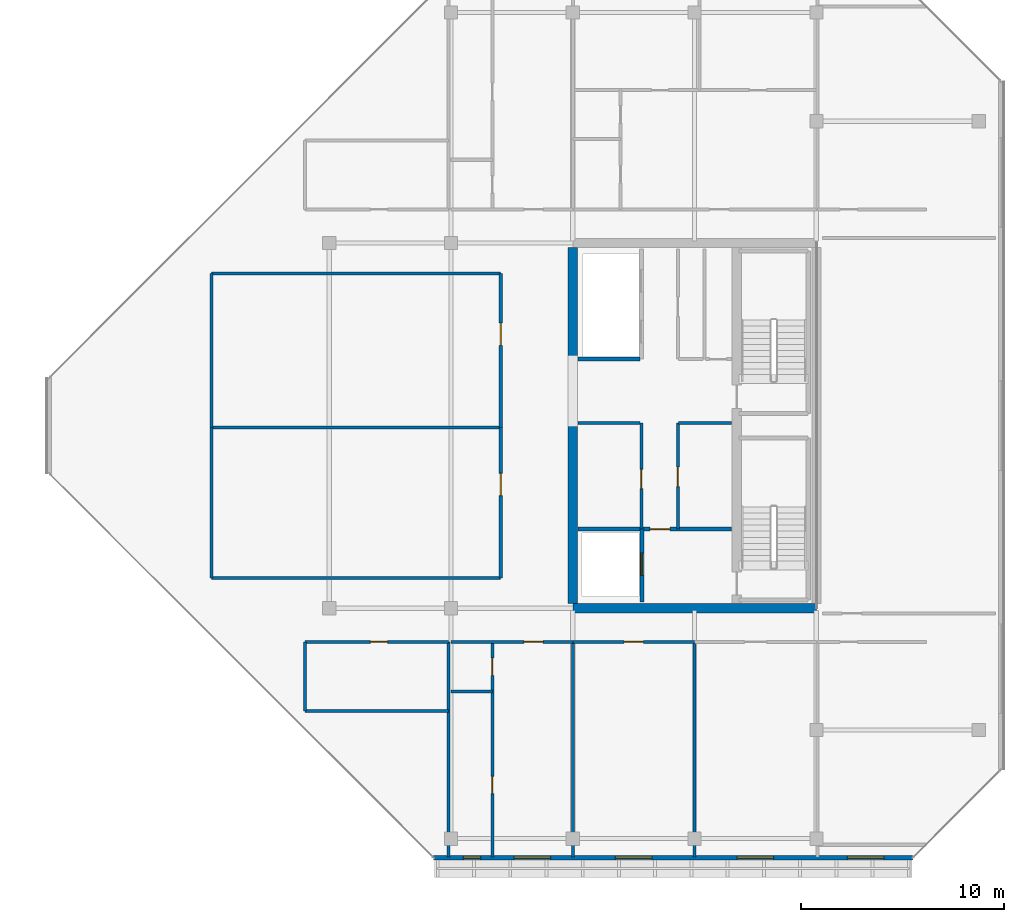
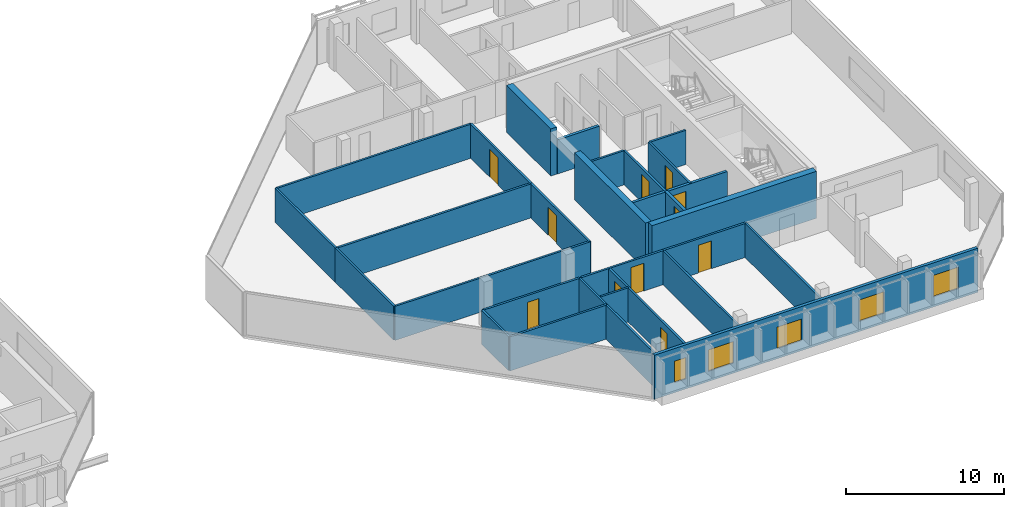
# One storey, part 22 of 28: 28 walls, 11 doors, 5 windows, 16 openings.
"""IFC4 building model written with IfcOpenShell, lengths in metres."""

from ifc_helpers import new_model, si_unit, direction, frame, frame_2d, origin, place, context, subcontext, project, spatial, rectangle, extrude, material, layer, layer_set, type_object, element, fill, save


model = new_model("IFC4")

# Units and contexts
model_context = context("Model", 3, precision=1e-05, world=origin(), true_north=direction((0.0, 1.0)))
body_context = subcontext(model_context, "Body", "Model", "MODEL_VIEW")
ifc_project = project(units=[si_unit("LENGTHUNIT", "METRE"), si_unit("AREAUNIT", "SQUARE_METRE"), si_unit("VOLUMEUNIT", "CUBIC_METRE"), si_unit("PLANEANGLEUNIT", "RADIAN"), si_unit("MASSUNIT", "GRAM", prefix="KILO")], contexts=[model_context])

# Site, building, storey
site_placement = place(None, origin())
site = spatial("IfcSite", under=ifc_project, at=site_placement, CompositionType="ELEMENT")
building_placement = place(site_placement, origin())
building = spatial("IfcBuilding", under=site, at=building_placement, Name="Tanjung Sevakor Pilgrim Tower", CompositionType="ELEMENT")
storey_placement = place(building_placement, frame((0.0, 0.0, 242.550048828125)))
storey = spatial("IfcBuildingStorey", under=building, at=storey_placement, Name="L68", CompositionType="ELEMENT", Elevation=242.550048828125)

# Walls
ifc_material_1 = material(Name="Concrete C60/75", Category="concrete")
ifc_layer_1 = layer(ifc_material_1, 0.449951171875)
ifc_layer_set_1 = layer_set([ifc_layer_1], Name="WALL-CW-450")
wall_type_1 = type_object("IfcWallType", Name="WALL-CW-450", PredefinedType="SHEAR", material=ifc_layer_set_1)
wall_1_placement = place(storey_placement, frame((78.0, 24.60009765625, 0.0), z_axis=(0.0, 0.0, 1.0), x_axis=(1.0, 0.0, 0.0)))
element("IfcWall", 1, at=wall_1_placement, inside=storey, type_object=wall_type_1, Name="L68 E Core South Shear Wall", PredefinedType="SHEAR", context=body_context, shape_type="SweptSolid", body=[
    extrude(rectangle(XDim=12.0, YDim=0.449951171875, at=frame_2d((6.0, 0.0))), origin(), (0.0, 0.0, 1.0), 3.6298828125),
])
wall_2_placement = place(storey_placement, frame((78.0, 24.824951171875, 0.0), z_axis=(0.0, 0.0, 1.0), x_axis=(0.0, 1.0, 0.0)))
element("IfcWall", 2, at=wall_2_placement, inside=storey, type_object=wall_type_1, Name="L68 E Core Inner Shear Wall South", PredefinedType="SHEAR", context=body_context, shape_type="SweptSolid", body=[
    extrude(rectangle(XDim=8.97509765625, YDim=0.449951171875, at=frame_2d((4.487548828125, 0.0))), origin(), (0.0, 0.0, 1.0), 3.6298828125),
])
wall_3_placement = place(storey_placement, frame((78.0, 36.800048828125, 0.0), z_axis=(0.0, 0.0, 1.0), x_axis=(0.0, 1.0, 0.0)))
element("IfcWall", 3, at=wall_3_placement, inside=storey, type_object=wall_type_1, Name="L68 E Core Inner Shear Wall North", PredefinedType="SHEAR", context=body_context, shape_type="SweptSolid", body=[
    extrude(rectangle(XDim=5.574951171875, YDim=0.449951171875, at=frame_2d((2.78759765625, 0.0))), origin(), (0.0, 0.0, 1.0), 3.6298828125),
])
ifc_material_2 = material(Name="Concrete C40/50", Category="concrete")
ifc_layer_2 = layer(ifc_material_2, 0.14990234375)
ifc_layer_set_2 = layer_set([ifc_layer_2], Name="WT-COMP-150")
wall_type_2 = type_object("IfcWallType", Name="WT-COMP-150", PredefinedType="SOLIDWALL", material=ifc_layer_set_2)
wall_4_placement = place(storey_placement, frame((83.199951171875, 33.719970703125, 0.0), z_axis=(0.0, 0.0, 1.0), x_axis=(1.0, 0.0, 0.0)))
element("IfcWall", 4, at=wall_4_placement, inside=storey, type_object=wall_type_2, Name="L68 Partition IW-L68-015", PredefinedType="SOLIDWALL", context=body_context, shape_type="SweptSolid", body=[
    extrude(rectangle(XDim=2.630126953125, YDim=0.14990234375, at=frame_2d((1.31494140625, 0.0))), origin(), (0.0, 0.0, 1.0), 2.6298828125),
])

# Wall, opening, door
wall_5_placement = place(storey_placement, frame((83.179931640625, 28.5, 0.0), z_axis=(0.0, 0.0, 1.0), x_axis=(0.0, 1.0, 0.0)))
wall_5 = element("IfcWall", 5, at=wall_5_placement, inside=storey, type_object=wall_type_2, Name="L68 Partition IW-L68-016", PredefinedType="SOLIDWALL", context=body_context, shape_type="SweptSolid", body=[
    extrude(rectangle(XDim=5.219970703125, YDim=0.14990234375, at=frame_2d((2.60986328125, 0.0))), origin(), (0.0, 0.0, 1.0), 2.6298828125),
])
opening_1_placement = place(wall_5_placement, frame((2.10009765625, 0.0, 0.0)))
opening_1 = element("IfcOpeningElement", 6, at=opening_1_placement, cuts=wall_5, Name="Opening ID-FD2", PredefinedType="OPENING", context=body_context, shape_type="SweptSolid", body=[
    extrude(rectangle(XDim=0.949951171875, YDim=2.14990234375, at=frame_2d((0.47509765625, 1.074951171875))), frame((0.0, 0.0849609375, 0.0), z_axis=(0.0, -1.0, 0.0), x_axis=(1.0, 0.0, 0.0)), (0.0, 0.0, 1.0), 0.169921875),
])
ifc_material_3 = material(Name="Fire-Rated Timber", Category="wood")
door_type_1 = type_object("IfcDoorType", Name="DT-FIRE-950", OperationType="NOTDEFINED", PredefinedType="DOOR", material=ifc_material_3)
door_1_placement = place(opening_1_placement, origin())
door_1 = element("IfcDoor", 7, at=door_1_placement, inside=storey, type_object=door_type_1, Name="L68 Housekeeping Pantry Door", OperationType="SINGLE_SWING_RIGHT", OverallHeight=2.14990234375, OverallWidth=0.949951171875, PredefinedType="DOOR", context=body_context, shape_type="SweptSolid", body=[
    extrude(rectangle(XDim=0.949951171875, YDim=2.14990234375, at=frame_2d((0.47509765625, 1.074951171875))), frame((0.0, 0.02490234375, 0.0), z_axis=(0.0, -1.0, 0.0), x_axis=(1.0, 0.0, 0.0)), (0.0, 0.0, 1.0), 0.050048828125),
])
fill(opening_1, door_1)

# Wall
wall_6_placement = place(storey_placement, frame((78.2451171875, 33.719970703125, 0.0), z_axis=(0.0, 0.0, 1.0), x_axis=(1.0, 0.0, 0.0)))
element("IfcWall", 8, at=wall_6_placement, inside=storey, type_object=wall_type_2, Name="L68 Partition IW-L68-017", PredefinedType="SOLIDWALL", context=body_context, shape_type="SweptSolid", body=[
    extrude(rectangle(XDim=3.074951171875, YDim=0.14990234375, at=frame_2d((1.53759765625, 0.0))), origin(), (0.0, 0.0, 1.0), 2.6298828125),
])

# Wall, opening, door
wall_7_placement = place(storey_placement, frame((81.3798828125, 28.5, 0.0), z_axis=(0.0, 0.0, 1.0), x_axis=(0.0, 1.0, 0.0)))
wall_7 = element("IfcWall", 9, at=wall_7_placement, inside=storey, type_object=wall_type_2, Name="L68 Partition IW-L68-018", PredefinedType="SOLIDWALL", context=body_context, shape_type="SweptSolid", body=[
    extrude(rectangle(XDim=5.219970703125, YDim=0.14990234375, at=frame_2d((2.60986328125, 0.0))), origin(), (0.0, 0.0, 1.0), 2.6298828125),
])
opening_2_placement = place(wall_7_placement, frame((2.0, 0.0, 0.0)))
opening_2 = element("IfcOpeningElement", 10, at=opening_2_placement, cuts=wall_7, Name="Opening ID-FD2", PredefinedType="OPENING", context=body_context, shape_type="SweptSolid", body=[
    extrude(rectangle(XDim=0.949951171875, YDim=2.14990234375, at=frame_2d((0.47509765625, 1.074951171875))), frame((0.0, 0.0849609375, 0.0), z_axis=(0.0, -1.0, 0.0), x_axis=(1.0, 0.0, 0.0)), (0.0, 0.0, 1.0), 0.169921875),
])
door_2_placement = place(opening_2_placement, origin())
door_2 = element("IfcDoor", 11, at=door_2_placement, inside=storey, type_object=door_type_1, Name="L68 Accessible WC Door", OperationType="SINGLE_SWING_LEFT", OverallHeight=2.14990234375, OverallWidth=0.949951171875, PredefinedType="DOOR", context=body_context, shape_type="SweptSolid", body=[
    extrude(rectangle(XDim=0.949951171875, YDim=2.14990234375, at=frame_2d((0.47509765625, 1.074951171875))), frame((0.0, 0.02490234375, 0.0), z_axis=(0.0, -1.0, 0.0), x_axis=(1.0, 0.0, 0.0)), (0.0, 0.0, 1.0), 0.050048828125),
])
fill(opening_2, door_2)

# Wall
wall_8_placement = place(storey_placement, frame((64.800048828125, 19.550048828125, 0.0), z_axis=(0.0, 0.0, 1.0), x_axis=(1.0, 0.0, 0.0)))
element("IfcWall", 12, at=wall_8_placement, inside=storey, type_object=wall_type_2, Name="L68 Partition IW-L68-033", PredefinedType="SOLIDWALL", context=body_context, shape_type="SweptSolid", body=[
    extrude(rectangle(XDim=7.079833984375, YDim=0.14990234375, at=frame_2d((3.5400390625, 0.0))), origin(), (0.0, 0.0, 1.0), 2.6298828125),
])

# Wall, opening, door
wall_9_placement = place(storey_placement, frame((64.800048828125, 22.949951171875, 0.0), z_axis=(0.0, 0.0, 1.0), x_axis=(1.0, 0.0, 0.0)))
wall_9 = element("IfcWall", 13, at=wall_9_placement, inside=storey, type_object=wall_type_2, Name="L68 Partition IW-L68-034", PredefinedType="SOLIDWALL", context=body_context, shape_type="SweptSolid", body=[
    extrude(rectangle(XDim=7.079833984375, YDim=0.14990234375, at=frame_2d((3.5400390625, 0.0))), origin(), (0.0, 0.0, 1.0), 2.6298828125),
])
opening_3_placement = place(wall_9_placement, frame((3.22509765625, 0.0, 0.0)))
opening_3 = element("IfcOpeningElement", 14, at=opening_3_placement, cuts=wall_9, Name="Opening ID-WC1", PredefinedType="OPENING", context=body_context, shape_type="SweptSolid", body=[
    extrude(rectangle(XDim=0.85009765625, YDim=2.10009765625, at=frame_2d((0.425048828125, 1.050048828125))), frame((0.0, 0.0849609375, 0.0), z_axis=(0.0, -1.0, 0.0), x_axis=(1.0, 0.0, 0.0)), (0.0, 0.0, 1.0), 0.169921875),
])
ifc_material_4 = material(Name="Moisture-Resistant Timber", Category="wood")
door_type_2 = type_object("IfcDoorType", Name="DT-INT-850", OperationType="NOTDEFINED", PredefinedType="DOOR", material=ifc_material_4)
door_3_placement = place(opening_3_placement, origin())
door_3 = element("IfcDoor", 15, at=door_3_placement, inside=storey, type_object=door_type_2, Name="L68 SW Crown Suite Door", OperationType="SINGLE_SWING_LEFT", OverallHeight=2.10009765625, OverallWidth=0.85009765625, PredefinedType="DOOR", context=body_context, shape_type="SweptSolid", body=[
    extrude(rectangle(XDim=0.85009765625, YDim=2.10009765625, at=frame_2d((0.425048828125, 1.050048828125))), frame((0.0, 0.02490234375, 0.0), z_axis=(0.0, -1.0, 0.0), x_axis=(1.0, 0.0, 0.0)), (0.0, 0.0, 1.0), 0.050048828125),
])
fill(opening_3, door_3)

# Walls
wall_10_placement = place(storey_placement, frame((64.800048828125, 19.550048828125, 0.0), z_axis=(0.0, 0.0, 1.0), x_axis=(0.0, 1.0, 0.0)))
element("IfcWall", 16, at=wall_10_placement, inside=storey, type_object=wall_type_2, Name="L68 Partition IW-L68-035", PredefinedType="SOLIDWALL", context=body_context, shape_type="SweptSolid", body=[
    extrude(rectangle(XDim=3.39990234375, YDim=0.14990234375, at=frame_2d((1.699951171875, 0.0))), origin(), (0.0, 0.0, 1.0), 2.6298828125),
])
for number, where, z_axis, x_axis, name in (
    (17, (71.8798828125, 12.340087890625, 0.0), (0.0, 0.0, 1.0), (0.0, 1.0, 0.0), "L68 Partition IW-L68-036"),
    (18, (78.0, 12.340087890625, 0.0), (0.0, 0.0, 1.0), (0.0, 1.0, 0.0), "L68 Partition IW-L68-049"),
):
    element("IfcWall", number, at=place(storey_placement, frame(where, z_axis=z_axis, x_axis=x_axis)), inside=storey, type_object=wall_type_2, Name=name, PredefinedType="SOLIDWALL", context=body_context, shape_type="SweptSolid", body=[
        extrude(rectangle(XDim=10.60986328125, YDim=0.14990234375, at=frame_2d((5.304931640625, 0.0))), origin(), (0.0, 0.0, 1.0), 2.6298828125),
    ])

# Wall, opening, door
wall_11_placement = place(storey_placement, frame((72.0, 22.949951171875, 0.0), z_axis=(0.0, 0.0, 1.0), x_axis=(1.0, 0.0, 0.0)))
wall_11 = element("IfcWall", 19, at=wall_11_placement, inside=storey, type_object=wall_type_2, Name="L68 Partition IW-L68-052", PredefinedType="SOLIDWALL", context=body_context, shape_type="SweptSolid", body=[
    extrude(rectangle(XDim=6.0, YDim=0.14990234375, at=frame_2d((3.0, 0.0))), origin(), (0.0, 0.0, 1.0), 2.6298828125),
])
opening_4_placement = place(wall_11_placement, frame((3.5849609375, 0.0, 0.0)))
opening_4 = element("IfcOpeningElement", 20, at=opening_4_placement, cuts=wall_11, Name="Opening ID-FD2", PredefinedType="OPENING", context=body_context, shape_type="SweptSolid", body=[
    extrude(rectangle(XDim=0.949951171875, YDim=2.14990234375, at=frame_2d((0.47509765625, 1.074951171875))), frame((0.0, 0.0849609375, 0.0), z_axis=(0.0, -1.0, 0.0), x_axis=(1.0, 0.0, 0.0)), (0.0, 0.0, 1.0), 0.169921875),
])
door_4_placement = place(opening_4_placement, origin())
door_4 = element("IfcDoor", 21, at=door_4_placement, inside=storey, type_object=door_type_1, Name="Hotel Guestroom Entrance", OperationType="SINGLE_SWING_RIGHT", OverallHeight=2.14990234375, OverallWidth=0.949951171875, PredefinedType="DOOR", context=body_context, shape_type="SweptSolid", body=[
    extrude(rectangle(XDim=0.949951171875, YDim=2.14990234375, at=frame_2d((0.47509765625, 1.074951171875))), frame((0.0, 0.02490234375, 0.0), z_axis=(0.0, -1.0, 0.0), x_axis=(1.0, 0.0, 0.0)), (0.0, 0.0, 1.0), 0.050048828125),
])
fill(opening_4, door_4)

# Wall
wall_12_placement = place(storey_placement, frame((84.0, 12.340087890625, 0.0), z_axis=(0.0, 0.0, 1.0), x_axis=(0.0, 1.0, 0.0)))
element("IfcWall", 22, at=wall_12_placement, inside=storey, type_object=wall_type_2, Name="L68 Partition IW-L68-053", PredefinedType="SOLIDWALL", context=body_context, shape_type="SweptSolid", body=[
    extrude(rectangle(XDim=10.60986328125, YDim=0.14990234375, at=frame_2d((5.304931640625, 0.0))), origin(), (0.0, 0.0, 1.0), 2.6298828125),
])

# Wall, opening, door
wall_13_placement = place(storey_placement, frame((78.0, 22.949951171875, 0.0), z_axis=(0.0, 0.0, 1.0), x_axis=(1.0, 0.0, 0.0)))
wall_13 = element("IfcWall", 23, at=wall_13_placement, inside=storey, type_object=wall_type_2, Name="L68 Partition IW-L68-054", PredefinedType="SOLIDWALL", context=body_context, shape_type="SweptSolid", body=[
    extrude(rectangle(XDim=6.0, YDim=0.14990234375, at=frame_2d((3.0, 0.0))), origin(), (0.0, 0.0, 1.0), 2.6298828125),
])
opening_5_placement = place(wall_13_placement, frame((2.52490234375, 0.0, 0.0)))
opening_5 = element("IfcOpeningElement", 24, at=opening_5_placement, cuts=wall_13, Name="Opening ID-FD2", PredefinedType="OPENING", context=body_context, shape_type="SweptSolid", body=[
    extrude(rectangle(XDim=0.949951171875, YDim=2.14990234375, at=frame_2d((0.47509765625, 1.074951171875))), frame((0.0, 0.0849609375, 0.0), z_axis=(0.0, -1.0, 0.0), x_axis=(1.0, 0.0, 0.0)), (0.0, 0.0, 1.0), 0.169921875),
])
door_5_placement = place(opening_5_placement, origin())
door_5 = element("IfcDoor", 25, at=door_5_placement, inside=storey, type_object=door_type_1, Name="Housekeeping Pantry Door", OperationType="SINGLE_SWING_LEFT", OverallHeight=2.14990234375, OverallWidth=0.949951171875, PredefinedType="DOOR", context=body_context, shape_type="SweptSolid", body=[
    extrude(rectangle(XDim=0.949951171875, YDim=2.14990234375, at=frame_2d((0.47509765625, 1.074951171875))), frame((0.0, 0.02490234375, 0.0), z_axis=(0.0, -1.0, 0.0), x_axis=(1.0, 0.0, 0.0)), (0.0, 0.0, 1.0), 0.050048828125),
])
fill(opening_5, door_5)

# Walls
for number, where, z_axis, x_axis, name in (
    (26, (60.199951171875, 26.10009765625, 0.0), (0.0, 0.0, 1.0), (1.0, 0.0, 0.0), "L68 Partition IW-L68-065"),
    (27, (60.199951171875, 33.5, 0.0), (0.0, 0.0, 1.0), (1.0, 0.0, 0.0), "L68 Partition IW-L68-066"),
):
    element("IfcWall", number, at=place(storey_placement, frame(where, z_axis=z_axis, x_axis=x_axis)), inside=storey, type_object=wall_type_2, Name=name, PredefinedType="SOLIDWALL", context=body_context, shape_type="SweptSolid", body=[
        extrude(rectangle(XDim=14.25, YDim=0.14990234375, at=frame_2d((7.125, 0.0))), origin(), (0.0, 0.0, 1.0), 2.6298828125),
    ])
wall_14_placement = place(storey_placement, frame((60.199951171875, 26.10009765625, 0.0), z_axis=(0.0, 0.0, 1.0), x_axis=(0.0, 1.0, 0.0)))
element("IfcWall", 28, at=wall_14_placement, inside=storey, type_object=wall_type_2, Name="L68 Partition IW-L68-067", PredefinedType="SOLIDWALL", context=body_context, shape_type="SweptSolid", body=[
    extrude(rectangle(XDim=7.39990234375, YDim=0.14990234375, at=frame_2d((3.699951171875, 0.0))), origin(), (0.0, 0.0, 1.0), 2.6298828125),
])

# Wall, opening, door
wall_15_placement = place(storey_placement, frame((74.449951171875, 26.10009765625, 0.0), z_axis=(0.0, 0.0, 1.0), x_axis=(0.0, 1.0, 0.0)))
wall_15 = element("IfcWall", 29, at=wall_15_placement, inside=storey, type_object=wall_type_2, Name="L68 Partition IW-L68-068", PredefinedType="SOLIDWALL", context=body_context, shape_type="SweptSolid", body=[
    extrude(rectangle(XDim=7.39990234375, YDim=0.14990234375, at=frame_2d((3.699951171875, 0.0))), origin(), (0.0, 0.0, 1.0), 2.6298828125),
])
opening_6_placement = place(wall_15_placement, frame((4.050048828125, 0.0, 0.0)))
opening_6 = element("IfcOpeningElement", 30, at=opening_6_placement, cuts=wall_15, Name="Opening ID-RM2", PredefinedType="OPENING", context=body_context, shape_type="SweptSolid", body=[
    extrude(rectangle(XDim=1.10009765625, YDim=2.14990234375, at=frame_2d((0.550048828125, 1.074951171875))), frame((0.0, 0.0849609375, 0.0), z_axis=(0.0, -1.0, 0.0), x_axis=(1.0, 0.0, 0.0)), (0.0, 0.0, 1.0), 0.169921875),
])
ifc_material_5 = material(Name="Hardwood Timber", Category="wood")
door_type_3 = type_object("IfcDoorType", Name="DT-INT-1100", OperationType="NOTDEFINED", PredefinedType="DOOR", material=ifc_material_5)
door_6_placement = place(opening_6_placement, origin())
door_6 = element("IfcDoor", 31, at=door_6_placement, inside=storey, type_object=door_type_3, Name="L68 Crown Chapel Door", OperationType="SINGLE_SWING_LEFT", OverallHeight=2.14990234375, OverallWidth=1.10009765625, PredefinedType="DOOR", context=body_context, shape_type="SweptSolid", body=[
    extrude(rectangle(XDim=1.10009765625, YDim=2.14990234375, at=frame_2d((0.550048828125, 1.074951171875))), frame((0.0, 0.02490234375, 0.0), z_axis=(0.0, -1.0, 0.0), x_axis=(1.0, 0.0, 0.0)), (0.0, 0.0, 1.0), 0.050048828125),
])
fill(opening_6, door_6)

# Walls
wall_16_placement = place(storey_placement, frame((60.199951171875, 41.10009765625, 0.0), z_axis=(0.0, 0.0, 1.0), x_axis=(1.0, 0.0, 0.0)))
element("IfcWall", 32, at=wall_16_placement, inside=storey, type_object=wall_type_2, Name="L68 Partition IW-L68-069", PredefinedType="SOLIDWALL", context=body_context, shape_type="SweptSolid", body=[
    extrude(rectangle(XDim=14.25, YDim=0.14990234375, at=frame_2d((7.125, 0.0))), origin(), (0.0, 0.0, 1.0), 2.6298828125),
])
wall_17_placement = place(storey_placement, frame((60.199951171875, 33.5, 0.0), z_axis=(0.0, 0.0, 1.0), x_axis=(0.0, 1.0, 0.0)))
element("IfcWall", 33, at=wall_17_placement, inside=storey, type_object=wall_type_2, Name="L68 Partition IW-L68-070", PredefinedType="SOLIDWALL", context=body_context, shape_type="SweptSolid", body=[
    extrude(rectangle(XDim=7.60009765625, YDim=0.14990234375, at=frame_2d((3.800048828125, 0.0))), origin(), (0.0, 0.0, 1.0), 2.6298828125),
])

# Wall, opening, door
wall_18_placement = place(storey_placement, frame((74.449951171875, 33.5, 0.0), z_axis=(0.0, 0.0, 1.0), x_axis=(0.0, 1.0, 0.0)))
wall_18 = element("IfcWall", 34, at=wall_18_placement, inside=storey, type_object=wall_type_2, Name="L68 Partition IW-L68-071", PredefinedType="SOLIDWALL", context=body_context, shape_type="SweptSolid", body=[
    extrude(rectangle(XDim=7.60009765625, YDim=0.14990234375, at=frame_2d((3.800048828125, 0.0))), origin(), (0.0, 0.0, 1.0), 2.6298828125),
])
opening_7_placement = place(wall_18_placement, frame((4.050048828125, 0.0, 0.0)))
opening_7 = element("IfcOpeningElement", 35, at=opening_7_placement, cuts=wall_18, Name="Opening ID-RM2", PredefinedType="OPENING", context=body_context, shape_type="SweptSolid", body=[
    extrude(rectangle(XDim=1.10009765625, YDim=2.14990234375, at=frame_2d((0.550048828125, 1.074951171875))), frame((0.0, 0.0849609375, 0.0), z_axis=(0.0, -1.0, 0.0), x_axis=(1.0, 0.0, 0.0)), (0.0, 0.0, 1.0), 0.169921875),
])
door_7_placement = place(opening_7_placement, origin())
door_7 = element("IfcDoor", 36, at=door_7_placement, inside=storey, type_object=door_type_3, Name="L68 Crown Lounge Door", OperationType="SINGLE_SWING_RIGHT", OverallHeight=2.14990234375, OverallWidth=1.10009765625, PredefinedType="DOOR", context=body_context, shape_type="SweptSolid", body=[
    extrude(rectangle(XDim=1.10009765625, YDim=2.14990234375, at=frame_2d((0.550048828125, 1.074951171875))), frame((0.0, 0.02490234375, 0.0), z_axis=(0.0, -1.0, 0.0), x_axis=(1.0, 0.0, 0.0)), (0.0, 0.0, 1.0), 0.050048828125),
])
fill(opening_7, door_7)

# Wall, openings, windows
ifc_material_6 = material(Name="Precast concrete C45/55", Category="concrete")
ifc_layer_3 = layer(ifc_material_6, 0.219970703125)
ifc_layer_set_3 = layer_set([ifc_layer_3], Name="WT-EW-STN4")
wall_type_3 = type_object("IfcWallType", Name="WT-EW-STN4", PredefinedType="SOLIDWALL", material=ifc_layer_set_3)
wall_19_placement = place(storey_placement, frame((71.1455078125, 12.31005859375, 0.0), z_axis=(0.0, 0.0, 1.0), x_axis=(1.0, 0.0, 0.0)))
wall_19 = element("IfcWall", 37, at=wall_19_placement, inside=storey, type_object=wall_type_3, Name="L68 EAST Exterior Wall 1", PredefinedType="SOLIDWALL", context=body_context, shape_type="SweptSolid", body=[
    extrude(rectangle(XDim=23.60888671875, YDim=0.219970703125, at=frame_2d((11.804443359375, 0.0))), origin(), (0.0, 0.0, 1.0), 3.409912109375),
])
opening_8_placement = place(wall_19_placement, frame((20.381591796875, 0.0, 0.780029296875)))
opening_8 = element("IfcOpeningElement", 38, at=opening_8_placement, cuts=wall_19, Name="Opening WN-Z3-1660", PredefinedType="OPENING", context=body_context, shape_type="SweptSolid", body=[
    extrude(rectangle(XDim=1.800048828125, YDim=1.659912109375, at=frame_2d((0.89990234375, 0.830078125))), frame((0.0, 0.119873046875, 0.0), z_axis=(0.0, -1.0, 0.0), x_axis=(1.0, 0.0, 0.0)), (0.0, 0.0, 1.0), 0.239990234375),
])
opening_9_placement = place(wall_19_placement, frame((1.45947265625, 0.0, 0.780029296875)))
opening_9 = element("IfcOpeningElement", 39, at=opening_9_placement, cuts=wall_19, Name="Opening WN-SLM", PredefinedType="OPENING", context=body_context, shape_type="SweptSolid", body=[
    extrude(rectangle(XDim=0.85009765625, YDim=1.64990234375, at=frame_2d((0.425048828125, 0.824951171875))), frame((0.0, 0.119873046875, 0.0), z_axis=(0.0, -1.0, 0.0), x_axis=(1.0, 0.0, 0.0)), (0.0, 0.0, 1.0), 0.239990234375),
])
opening_10_placement = place(wall_19_placement, frame((3.96435546875, 0.0, 0.780029296875)))
opening_10 = element("IfcOpeningElement", 40, at=opening_10_placement, cuts=wall_19, Name="Opening WN-Z3-1660", PredefinedType="OPENING", context=body_context, shape_type="SweptSolid", body=[
    extrude(rectangle(XDim=1.800048828125, YDim=1.659912109375, at=frame_2d((0.89990234375, 0.830078125))), frame((0.0, 0.119873046875, 0.0), z_axis=(0.0, -1.0, 0.0), x_axis=(1.0, 0.0, 0.0)), (0.0, 0.0, 1.0), 0.239990234375),
])
opening_11_placement = place(wall_19_placement, frame((8.954345703125, 0.0, 0.780029296875)))
opening_11 = element("IfcOpeningElement", 41, at=opening_11_placement, cuts=wall_19, Name="Opening WN-Z3-1660", PredefinedType="OPENING", context=body_context, shape_type="SweptSolid", body=[
    extrude(rectangle(XDim=1.800048828125, YDim=1.659912109375, at=frame_2d((0.89990234375, 0.830078125))), frame((0.0, 0.119873046875, 0.0), z_axis=(0.0, -1.0, 0.0), x_axis=(1.0, 0.0, 0.0)), (0.0, 0.0, 1.0), 0.239990234375),
])
opening_12_placement = place(wall_19_placement, frame((14.954345703125, 0.0, 0.780029296875)))
opening_12 = element("IfcOpeningElement", 42, at=opening_12_placement, cuts=wall_19, Name="Opening WN-Z3-1660", PredefinedType="OPENING", context=body_context, shape_type="SweptSolid", body=[
    extrude(rectangle(XDim=1.800048828125, YDim=1.659912109375, at=frame_2d((0.89990234375, 0.830078125))), frame((0.0, 0.119873046875, 0.0), z_axis=(0.0, -1.0, 0.0), x_axis=(1.0, 0.0, 0.0)), (0.0, 0.0, 1.0), 0.239990234375),
])
ifc_material_7 = material(Name="Thermally Broken Aluminium and Low-E Glass", Category="aluminium")
window_type_1 = type_object("IfcWindowType", Name="WTYP-WN-SLM", PartitioningType="SINGLE_PANEL", PredefinedType="WINDOW", material=ifc_material_7)
window_1_placement = place(opening_9_placement, origin())
window_1 = element("IfcWindow", 43, at=window_1_placement, inside=storey, type_object=window_type_1, Name="L68 Facade Window 02", OverallHeight=1.64990234375, OverallWidth=0.85009765625, PartitioningType="SINGLE_PANEL", PredefinedType="WINDOW", context=body_context, shape_type="SweptSolid", body=[
    extrude(rectangle(XDim=0.85009765625, YDim=1.64990234375, at=frame_2d((0.425048828125, 0.824951171875))), frame((0.0, 0.030029296875, 0.0), z_axis=(0.0, -1.0, 0.0), x_axis=(1.0, 0.0, 0.0)), (0.0, 0.0, 1.0), 0.06005859375),
])
fill(opening_9, window_1)
ifc_material_8 = material(Name="Thermally Broken Aluminium and Low-E Glass", Category="aluminium")
window_type_2 = type_object("IfcWindowType", Name="WTYP-WN-Z3-1660", PartitioningType="DOUBLE_PANEL_VERTICAL", PredefinedType="WINDOW", material=ifc_material_8)
window_2_placement = place(opening_8_placement, origin())
window_2 = element("IfcWindow", 44, at=window_2_placement, inside=storey, type_object=window_type_2, Name="L68 Facade Window 01", OverallHeight=1.659912109375, OverallWidth=1.800048828125, PartitioningType="SINGLE_PANEL", PredefinedType="WINDOW", context=body_context, shape_type="SweptSolid", body=[
    extrude(rectangle(XDim=1.800048828125, YDim=1.659912109375, at=frame_2d((0.89990234375, 0.830078125))), frame((0.0, 0.030029296875, 0.0), z_axis=(0.0, -1.0, 0.0), x_axis=(1.0, 0.0, 0.0)), (0.0, 0.0, 1.0), 0.06005859375),
])
fill(opening_8, window_2)
window_3_placement = place(opening_10_placement, origin())
window_3 = element("IfcWindow", 45, at=window_3_placement, inside=storey, type_object=window_type_2, Name="L68 Facade Window 03", OverallHeight=1.659912109375, OverallWidth=1.800048828125, PartitioningType="SINGLE_PANEL", PredefinedType="WINDOW", context=body_context, shape_type="SweptSolid", body=[
    extrude(rectangle(XDim=1.800048828125, YDim=1.659912109375, at=frame_2d((0.89990234375, 0.830078125))), frame((0.0, 0.030029296875, 0.0), z_axis=(0.0, -1.0, 0.0), x_axis=(1.0, 0.0, 0.0)), (0.0, 0.0, 1.0), 0.06005859375),
])
fill(opening_10, window_3)
window_4_placement = place(opening_11_placement, origin())
window_4 = element("IfcWindow", 46, at=window_4_placement, inside=storey, type_object=window_type_2, Name="L68 Facade Window 04", OverallHeight=1.659912109375, OverallWidth=1.800048828125, PartitioningType="SINGLE_PANEL", PredefinedType="WINDOW", context=body_context, shape_type="SweptSolid", body=[
    extrude(rectangle(XDim=1.800048828125, YDim=1.659912109375, at=frame_2d((0.89990234375, 0.830078125))), frame((0.0, 0.030029296875, 0.0), z_axis=(0.0, -1.0, 0.0), x_axis=(1.0, 0.0, 0.0)), (0.0, 0.0, 1.0), 0.06005859375),
])
fill(opening_11, window_4)
window_5_placement = place(opening_12_placement, origin())
window_5 = element("IfcWindow", 47, at=window_5_placement, inside=storey, type_object=window_type_2, Name="L68 Facade Window 05", OverallHeight=1.659912109375, OverallWidth=1.800048828125, PartitioningType="SINGLE_PANEL", PredefinedType="WINDOW", context=body_context, shape_type="SweptSolid", body=[
    extrude(rectangle(XDim=1.800048828125, YDim=1.659912109375, at=frame_2d((0.89990234375, 0.830078125))), frame((0.0, 0.030029296875, 0.0), z_axis=(0.0, -1.0, 0.0), x_axis=(1.0, 0.0, 0.0)), (0.0, 0.0, 1.0), 0.06005859375),
])
fill(opening_12, window_5)

# Wall, opening, door
ifc_material_9 = material(Name="Concrete C40/50", Category="concrete")
ifc_layer_4 = layer(ifc_material_9, 0.199951171875)
ifc_layer_set_4 = layer_set([ifc_layer_4], Name="WT-FPRT-200")
wall_type_4 = type_object("IfcWallType", Name="WT-FPRT-200", PredefinedType="SOLIDWALL", material=ifc_layer_set_4)
wall_20_placement = place(storey_placement, frame((81.39990234375, 24.919921875, 0.0), z_axis=(0.0, 0.0, 1.0), x_axis=(0.0, 1.0, 0.0)))
wall_20 = element("IfcWall", 48, at=wall_20_placement, inside=storey, type_object=wall_type_4, Name="L68 Partition IW-L68-013", PredefinedType="SOLIDWALL", context=body_context, shape_type="SweptSolid", body=[
    extrude(rectangle(XDim=3.580078125, YDim=0.199951171875, at=frame_2d((1.7900390625, 0.0))), origin(), (0.0, 0.0, 1.0), 2.6298828125),
])
opening_13_placement = place(wall_20_placement, frame((1.300048828125, 0.0, 0.0)))
opening_13 = element("IfcOpeningElement", 49, at=opening_13_placement, cuts=wall_20, Name="Opening LD-1100", PredefinedType="OPENING", context=body_context, shape_type="SweptSolid", body=[
    extrude(rectangle(XDim=1.10009765625, YDim=2.199951171875, at=frame_2d((0.550048828125, 1.10009765625))), frame((0.0, 0.10986328125, 0.0), z_axis=(0.0, -1.0, 0.0), x_axis=(1.0, 0.0, 0.0)), (0.0, 0.0, 1.0), 0.219970703125),
])
ifc_material_10 = material(Name="Brushed Stainless Steel S355J2", Category="steel")
door_type_4 = type_object("IfcDoorType", Name="DT-LIFT-1100", OperationType="SLIDING_TO_LEFT", PredefinedType="DOOR", material=ifc_material_10)
door_8_placement = place(opening_13_placement, origin())
door_8 = element("IfcDoor", 50, at=door_8_placement, inside=storey, type_object=door_type_4, Name="LD-FL-E", OperationType="SLIDING_TO_LEFT", OverallHeight=2.199951171875, OverallWidth=1.10009765625, PredefinedType="DOOR", context=body_context, shape_type="SweptSolid", body=[
    extrude(rectangle(XDim=1.10009765625, YDim=2.199951171875, at=frame_2d((0.550048828125, 1.10009765625))), frame((0.0, 0.02490234375, 0.0), z_axis=(0.0, -1.0, 0.0), x_axis=(1.0, 0.0, 0.0)), (0.0, 0.0, 1.0), 0.050048828125),
])
fill(opening_13, door_8)

wall_21_placement = place(storey_placement, frame((78.2451171875, 28.5, 0.0), z_axis=(0.0, 0.0, 1.0), x_axis=(1.0, 0.0, 0.0)))
wall_21 = element("IfcWall", 51, at=wall_21_placement, inside=storey, type_object=wall_type_4, Name="L68 Partition IW-L68-014", PredefinedType="SOLIDWALL", context=body_context, shape_type="SweptSolid", body=[
    extrude(rectangle(XDim=7.5849609375, YDim=0.199951171875, at=frame_2d((3.79248046875, 0.0))), origin(), (0.0, 0.0, 1.0), 2.6298828125),
])
opening_14_placement = place(wall_21_placement, frame((3.554931640625, 0.0, 0.0)))
opening_14 = element("IfcOpeningElement", 52, at=opening_14_placement, cuts=wall_21, Name="Opening ID-FD1", PredefinedType="OPENING", context=body_context, shape_type="SweptSolid", body=[
    extrude(rectangle(XDim=1.0, YDim=2.14990234375, at=frame_2d((0.5, 1.074951171875))), frame((0.0, 0.10986328125, 0.0), z_axis=(0.0, -1.0, 0.0), x_axis=(1.0, 0.0, 0.0)), (0.0, 0.0, 1.0), 0.219970703125),
])
ifc_material_11 = material(Name="Fire-Rated Steel S355J2", Category="steel")
door_type_5 = type_object("IfcDoorType", Name="DT-FIRE-1000", OperationType="NOTDEFINED", PredefinedType="DOOR", material=ifc_material_11)
door_9_placement = place(opening_14_placement, origin())
door_9 = element("IfcDoor", 53, at=door_9_placement, inside=storey, type_object=door_type_5, Name="Fire Lobby Door E", OperationType="SINGLE_SWING_LEFT", OverallHeight=2.14990234375, OverallWidth=1.0, PredefinedType="DOOR", context=body_context, shape_type="SweptSolid", body=[
    extrude(rectangle(XDim=1.0, YDim=2.14990234375, at=frame_2d((0.5, 1.074951171875))), frame((0.0, 0.02490234375, 0.0), z_axis=(0.0, -1.0, 0.0), x_axis=(1.0, 0.0, 0.0)), (0.0, 0.0, 1.0), 0.050048828125),
])
fill(opening_14, door_9)

# Walls
wall_22_placement = place(storey_placement, frame((78.2451171875, 36.8798828125, 0.0), z_axis=(0.0, 0.0, 1.0), x_axis=(1.0, 0.0, 0.0)))
element("IfcWall", 54, at=wall_22_placement, inside=storey, type_object=wall_type_4, Name="L68 Partition IW-L68-023", PredefinedType="SOLIDWALL", context=body_context, shape_type="SweptSolid", body=[
    extrude(rectangle(XDim=3.074951171875, YDim=0.199951171875, at=frame_2d((1.53759765625, 0.0))), origin(), (0.0, 0.0, 1.0), 2.6298828125),
])
ifc_material_12 = material(Name="Gypsum Board Partition", Category="gypsum board")
ifc_layer_5 = layer(ifc_material_12, 0.14990234375)
ifc_layer_set_5 = layer_set([ifc_layer_5], Name="WT-PART-150")
wall_type_5 = type_object("IfcWallType", Name="WT-PART-150", PredefinedType="PARTITIONING", material=ifc_layer_set_5)
wall_23_placement = place(storey_placement, frame((72.0, 20.5, 0.0), z_axis=(0.0, 0.0, 1.0), x_axis=(1.0, 0.0, 0.0)))
element("IfcWall", 55, at=wall_23_placement, inside=storey, type_object=wall_type_5, Name="L68 Partition IW-L68-050", PredefinedType="PARTITIONING", context=body_context, shape_type="SweptSolid", body=[
    extrude(rectangle(XDim=2.0400390625, YDim=0.14990234375, at=frame_2d((1.02001953125, 0.0))), origin(), (0.0, 0.0, 1.0), 2.6298828125),
])

# Wall, openings, doors
wall_24_placement = place(storey_placement, frame((74.0400390625, 12.340087890625, 0.0), z_axis=(0.0, 0.0, 1.0), x_axis=(0.0, 1.0, 0.0)))
wall_24 = element("IfcWall", 56, at=wall_24_placement, inside=storey, type_object=wall_type_5, Name="L68 Partition IW-L68-051", PredefinedType="PARTITIONING", context=body_context, shape_type="SweptSolid", body=[
    extrude(rectangle(XDim=10.60986328125, YDim=0.14990234375, at=frame_2d((5.304931640625, 0.0))), origin(), (0.0, 0.0, 1.0), 2.6298828125),
])
opening_15_placement = place(wall_24_placement, frame((3.1240234375, 0.0, 0.0)))
opening_15 = element("IfcOpeningElement", 57, at=opening_15_placement, cuts=wall_24, Name="Opening ID-WC1", PredefinedType="OPENING", context=body_context, shape_type="SweptSolid", body=[
    extrude(rectangle(XDim=0.85009765625, YDim=2.10009765625, at=frame_2d((0.425048828125, 1.050048828125))), frame((0.0, 0.0849609375, 0.0), z_axis=(0.0, -1.0, 0.0), x_axis=(1.0, 0.0, 0.0)), (0.0, 0.0, 1.0), 0.169921875),
])
opening_16_placement = place(wall_24_placement, frame((8.9599609375, 0.0, 0.0)))
opening_16 = element("IfcOpeningElement", 58, at=opening_16_placement, cuts=wall_24, Name="Opening ID-WC1", PredefinedType="OPENING", context=body_context, shape_type="SweptSolid", body=[
    extrude(rectangle(XDim=0.85009765625, YDim=2.10009765625, at=frame_2d((0.425048828125, 1.050048828125))), frame((0.0, 0.0849609375, 0.0), z_axis=(0.0, -1.0, 0.0), x_axis=(1.0, 0.0, 0.0)), (0.0, 0.0, 1.0), 0.169921875),
])
door_10_placement = place(opening_15_placement, origin())
door_10 = element("IfcDoor", 59, at=door_10_placement, inside=storey, type_object=door_type_2, Name="Study Nook Door", OperationType="SINGLE_SWING_RIGHT", OverallHeight=2.10009765625, OverallWidth=0.85009765625, PredefinedType="DOOR", context=body_context, shape_type="SweptSolid", body=[
    extrude(rectangle(XDim=0.85009765625, YDim=2.10009765625, at=frame_2d((0.425048828125, 1.050048828125))), frame((0.0, 0.02490234375, 0.0), z_axis=(0.0, -1.0, 0.0), x_axis=(1.0, 0.0, 0.0)), (0.0, 0.0, 1.0), 0.050048828125),
])
fill(opening_15, door_10)
door_11_placement = place(opening_16_placement, origin())
door_11 = element("IfcDoor", 60, at=door_11_placement, inside=storey, type_object=door_type_2, Name="Bathroom Door", OperationType="SINGLE_SWING_LEFT", OverallHeight=2.10009765625, OverallWidth=0.85009765625, PredefinedType="DOOR", context=body_context, shape_type="SweptSolid", body=[
    extrude(rectangle(XDim=0.85009765625, YDim=2.10009765625, at=frame_2d((0.425048828125, 1.050048828125))), frame((0.0, 0.02490234375, 0.0), z_axis=(0.0, -1.0, 0.0), x_axis=(1.0, 0.0, 0.0)), (0.0, 0.0, 1.0), 0.050048828125),
])
fill(opening_16, door_11)

save(model, "model.ifc")
